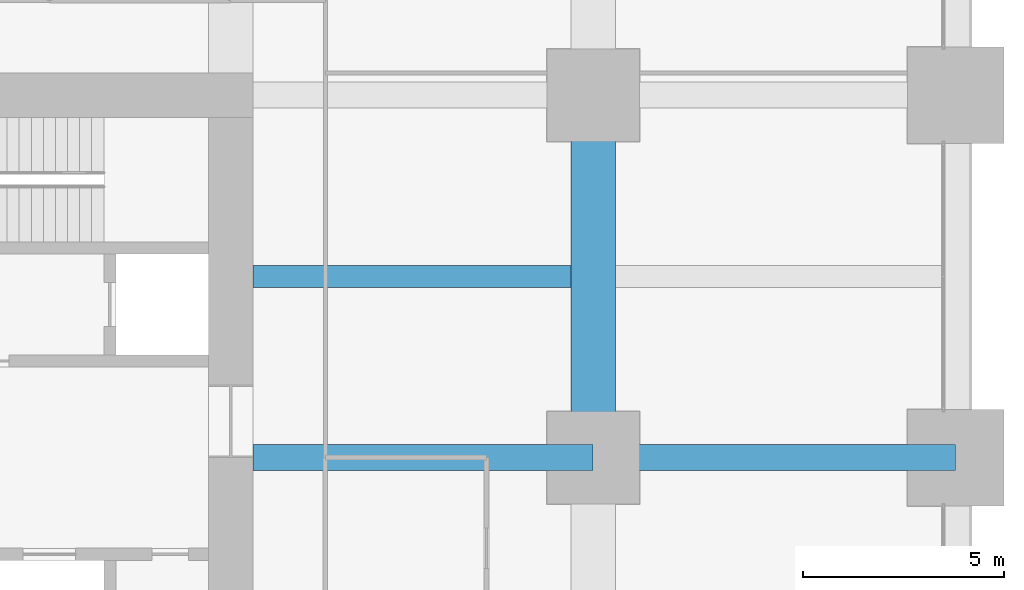
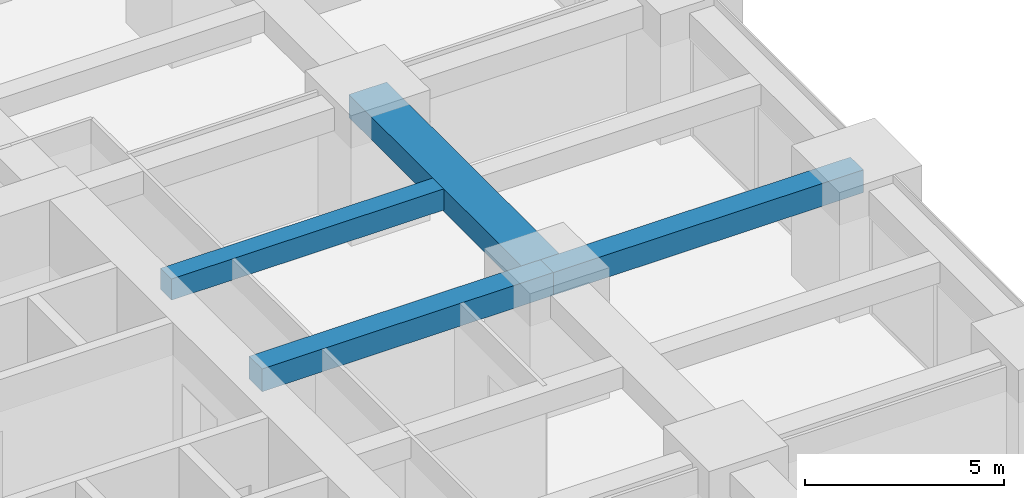
# One storey, part 21 of 44: 4 beams.
"""IFC4 building model written with IfcOpenShell, lengths in metres."""

from ifc_helpers import new_model, si_unit, direction, frame, origin, origin_2d, place, context, subcontext, project, spatial, rectangle, extrude, material, material_profile, profile_set, type_object, element, save


model = new_model("IFC4")

# Units and contexts
model_context = context("Model", 3, precision=1e-05, world=origin(), true_north=direction((0.0, 1.0)))
body_context = subcontext(model_context, "Body", "Model", "MODEL_VIEW")
ifc_project = project(units=[si_unit("LENGTHUNIT", "METRE"), si_unit("AREAUNIT", "SQUARE_METRE"), si_unit("VOLUMEUNIT", "CUBIC_METRE"), si_unit("PLANEANGLEUNIT", "RADIAN"), si_unit("MASSUNIT", "GRAM", prefix="KILO")], contexts=[model_context])

# Site, building, storey
site_placement = place(None, origin())
site = spatial("IfcSite", under=ifc_project, at=site_placement, CompositionType="ELEMENT")
building_placement = place(site_placement, origin())
building = spatial("IfcBuilding", under=site, at=building_placement, Name="Zorevar Civic Tower", CompositionType="ELEMENT")
storey_placement = place(building_placement, frame((0.0, 0.0, 35.800048828125)))
storey = spatial("IfcBuildingStorey", under=building, at=storey_placement, Name="L08", CompositionType="ELEMENT", Elevation=35.800048828125)

# Beams
ifc_material_1 = material(Name="Concrete C50/60", Category="concrete")
ifc_material_profile_1 = material_profile(ifc_material_1, rectangle(XDim=1.10009765625, YDim=0.699951171875, at=origin_2d()), Name="RC 1100x700")
ifc_profile_set_1 = profile_set([ifc_material_profile_1], Name="Concrete C50/60")
beam_type_1 = type_object("IfcBeamType", Name="Beam RC 1100x700", PredefinedType="BEAM", material=ifc_profile_set_1)
beam_1_placement = place(storey_placement, frame((54.0, 27.0, 3.39990234375), z_axis=(0.0, 1.0, 0.0), x_axis=(-1.0, 0.0, 0.0)))
element("IfcBeam", 1, at=beam_1_placement, inside=storey, type_object=beam_type_1, Name="Girder L09", PredefinedType="BEAM", context=body_context, shape_type="SweptSolid", body=[
    extrude(rectangle(XDim=1.10009765625, YDim=0.699951171875, at=origin_2d()), origin(), (0.0, 0.0, 1.0), 9.0),
])
ifc_material_2 = material(Name="Concrete C50/60", Category="concrete")
ifc_material_profile_2 = material_profile(ifc_material_2, rectangle(XDim=0.550048828125, YDim=0.64990234375, at=origin_2d()), Name="RC 550x650")
ifc_profile_set_2 = profile_set([ifc_material_profile_2], Name="Concrete C50/60")
beam_type_2 = type_object("IfcBeamType", Name="Beam RC 550x650", PredefinedType="BEAM", material=ifc_profile_set_2)
beam_2_placement = place(storey_placement, frame((45.550048828125, 31.5, 3.425048828125), z_axis=(1.0, 0.0, 0.0), x_axis=(0.0, 1.0, 0.0)))
element("IfcBeam", 2, at=beam_2_placement, inside=storey, type_object=beam_type_2, Name="Secondary beam L09", PredefinedType="BEAM", context=body_context, shape_type="SweptSolid", body=[
    extrude(rectangle(XDim=0.550048828125, YDim=0.64990234375, at=origin_2d()), origin(), (0.0, 0.0, 1.0), 7.89990234375),
])
ifc_material_3 = material(Name="Concrete C50/60", Category="concrete")
ifc_material_profile_3 = material_profile(ifc_material_3, rectangle(XDim=0.64990234375, YDim=0.699951171875, at=origin_2d()), Name="RC 650x700")
ifc_profile_set_3 = profile_set([ifc_material_profile_3], Name="Concrete C50/60")
beam_type_3 = type_object("IfcBeamType", Name="Beam RC 650x700", PredefinedType="BEAM", material=ifc_profile_set_3)
beam_3_placement = place(storey_placement, frame((45.550048828125, 27.0, 3.39990234375), z_axis=(1.0, 0.0, 0.0), x_axis=(0.0, 1.0, 0.0)))
element("IfcBeam", 3, at=beam_3_placement, inside=storey, type_object=beam_type_3, Name="Girder L09", PredefinedType="BEAM", context=body_context, shape_type="SweptSolid", body=[
    extrude(rectangle(XDim=0.64990234375, YDim=0.699951171875, at=origin_2d()), origin(), (0.0, 0.0, 1.0), 8.449951171875),
])
beam_4_placement = place(storey_placement, frame((54.0, 27.0, 3.39990234375), z_axis=(1.0, 0.0, 0.0), x_axis=(0.0, 1.0, 0.0)))
element("IfcBeam", 4, at=beam_4_placement, inside=storey, type_object=beam_type_3, Name="Girder L09", PredefinedType="BEAM", context=body_context, shape_type="SweptSolid", body=[
    extrude(rectangle(XDim=0.64990234375, YDim=0.699951171875, at=origin_2d()), origin(), (0.0, 0.0, 1.0), 9.0),
])

save(model, "model.ifc")
